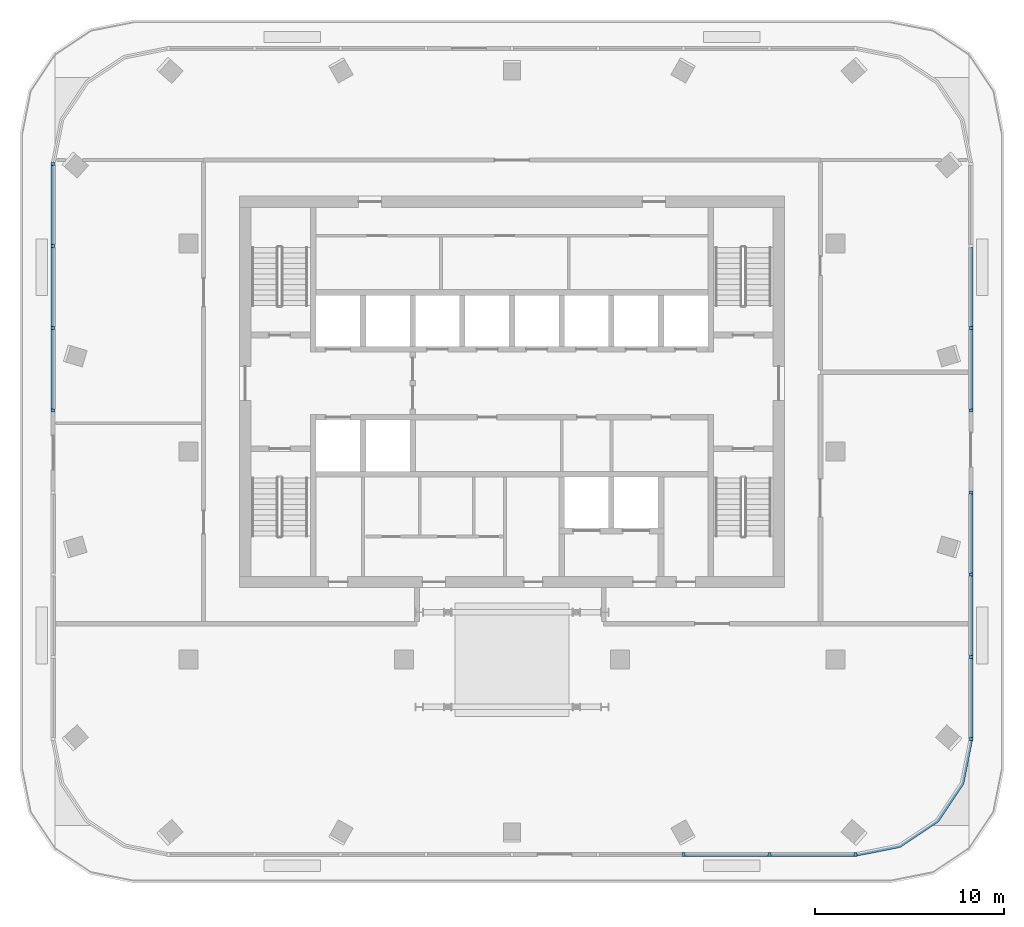
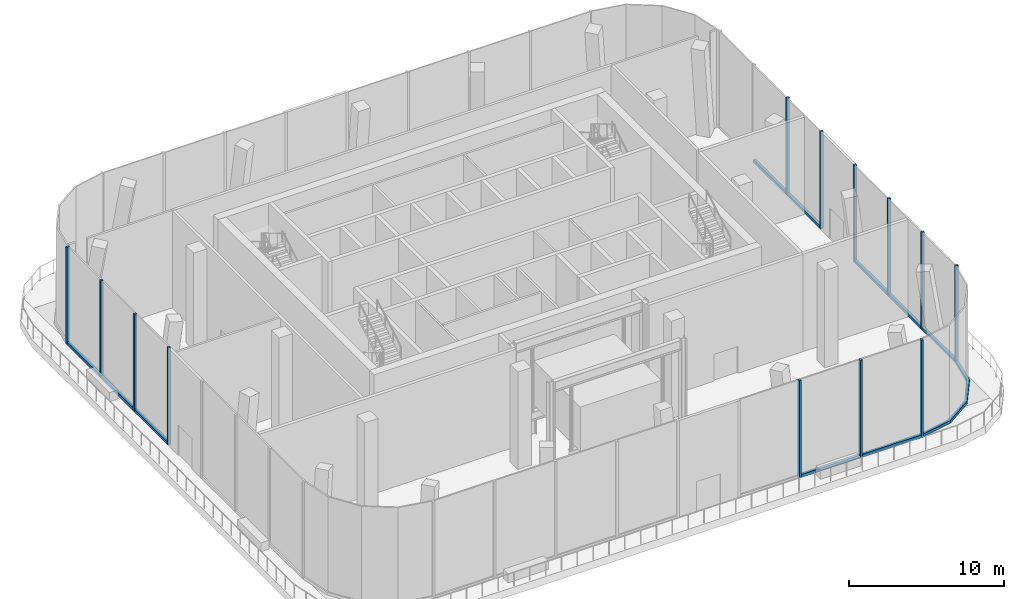
# One storey, part 3 of 13: 24 members, 5 elements without a shape of their own.
"""IFC4 building model written with IfcOpenShell, lengths in metres."""

from ifc_helpers import new_model, si_unit, direction, frame, origin, origin_2d, place, context, subcontext, project, spatial, polyline, rectangle, outline, extrude, material, material_profile, profile_set, type_object, element, aggregate, save


model = new_model("IFC4")

# Units and contexts
model_context = context("Model", 3, precision=1e-05, world=origin(), true_north=direction((0.0, 1.0)))
body_context = subcontext(model_context, "Body", "Model", "MODEL_VIEW")
ifc_project = project(units=[si_unit("LENGTHUNIT", "METRE"), si_unit("AREAUNIT", "SQUARE_METRE"), si_unit("VOLUMEUNIT", "CUBIC_METRE"), si_unit("PLANEANGLEUNIT", "RADIAN"), si_unit("MASSUNIT", "GRAM", prefix="KILO")], contexts=[model_context])

# Site, building, storey
site_placement = place(None, origin())
site = spatial("IfcSite", under=ifc_project, at=site_placement, CompositionType="ELEMENT")
building_placement = place(site_placement, origin())
building = spatial("IfcBuilding", under=site, at=building_placement, Name="Mopane Tessera Tower", CompositionType="ELEMENT")
storey_placement = place(building_placement, frame((0.0, 0.0, 337.39990234375)))
storey = spatial("IfcBuildingStorey", under=building, at=storey_placement, Name="L74", CompositionType="ELEMENT", Elevation=337.39990234375)

# Curtain wall, members
ifc_material_1 = material(Name="Aluminium frame", Category="aluminium")
curtain_wall_type = type_object("IfcCurtainWallType", Name="Damper floor unitised wall", PredefinedType="NOTDEFINED", material=ifc_material_1)
curtain_wall_1_placement = place(storey_placement, origin())
curtain_wall_1 = element("IfcCurtainWall", 1, at=curtain_wall_1_placement, inside=storey, type_object=curtain_wall_type, Name="e:cw:L74:S:5", PredefinedType="NOTDEFINED")
ifc_material_2 = material(Name="Aluminium frame", Category="aluminium")
ifc_material_profile_1 = material_profile(ifc_material_2, rectangle(XDim=0.159912109375, YDim=0.199951171875, at=origin_2d()))
ifc_profile_set_1 = profile_set([ifc_material_profile_1], Name="Aluminium frame")
member_type_1 = type_object("IfcMemberType", Name="Aluminium mullion 160 x 200", PredefinedType="MULLION", material=ifc_profile_set_1)
member_1_placement = place(storey_placement, frame((9.074951171875, -21.300048828125, 0.0), z_axis=(0.0, 0.0, 1.0), x_axis=(1.0, 0.0, 0.0)))
member_1 = element("IfcMember", 2, at=member_1_placement, type_object=member_type_1, Name="e:cw:L74:S:5:mu6", PredefinedType="MULLION", context=body_context, shape_type="SweptSolid", body=[
    extrude(rectangle(XDim=0.159912109375, YDim=0.199951171875, at=origin_2d()), origin(), (0.0, 0.0, 1.0), 7.650146484375),
])
member_2_placement = place(storey_placement, frame((13.612548828125, -21.300048828125, 0.0), z_axis=(0.0, 0.0, 1.0), x_axis=(1.0, 0.0, 0.0)))
member_2 = element("IfcMember", 3, at=member_2_placement, type_object=member_type_1, Name="e:cw:L74:S:5:mu7", PredefinedType="MULLION", context=body_context, shape_type="SweptSolid", body=[
    extrude(rectangle(XDim=0.159912109375, YDim=0.199951171875, at=origin_2d()), origin(), (0.0, 0.0, 1.0), 7.650146484375),
])
member_3_placement = place(storey_placement, frame((18.14990234375, -21.300048828125, 0.0), z_axis=(0.0, 0.0, 1.0), x_axis=(1.0, 0.0, 0.0)))
member_3 = element("IfcMember", 4, at=member_3_placement, type_object=member_type_1, Name="e:cw:L74:S:5:mu8", PredefinedType="MULLION", context=body_context, shape_type="SweptSolid", body=[
    extrude(rectangle(XDim=0.159912109375, YDim=0.199951171875, at=origin_2d()), origin(), (0.0, 0.0, 1.0), 7.650146484375),
])

curtain_wall_2_placement = place(storey_placement, origin())
curtain_wall_2 = element("IfcCurtainWall", 5, at=curtain_wall_2_placement, inside=storey, type_object=curtain_wall_type, Name="e:cw:L74:E:0", PredefinedType="NOTDEFINED")
member_4_placement = place(storey_placement, frame((24.25, -15.199951171875, 0.0), z_axis=(0.0, 0.0, 1.0), x_axis=(0.0, 1.0, 0.0)))
member_4 = element("IfcMember", 6, at=member_4_placement, type_object=member_type_1, Name="e:cw:L74:E:0:mu0", PredefinedType="MULLION", context=body_context, shape_type="SweptSolid", body=[
    extrude(rectangle(XDim=0.159912109375, YDim=0.199951171875, at=origin_2d()), origin(), (0.0, 0.0, 1.0), 7.650146484375),
])
member_5_placement = place(storey_placement, frame((24.25, -10.857177734375, 0.0), z_axis=(0.0, 0.0, 1.0), x_axis=(0.0, 1.0, 0.0)))
member_5 = element("IfcMember", 7, at=member_5_placement, type_object=member_type_1, Name="e:cw:L74:E:0:mu1", PredefinedType="MULLION", context=body_context, shape_type="SweptSolid", body=[
    extrude(rectangle(XDim=0.159912109375, YDim=0.199951171875, at=origin_2d()), origin(), (0.0, 0.0, 1.0), 7.650146484375),
])
member_6_placement = place(storey_placement, frame((24.25, -6.514404296875, 0.0), z_axis=(0.0, 0.0, 1.0), x_axis=(0.0, 1.0, 0.0)))
member_6 = element("IfcMember", 8, at=member_6_placement, type_object=member_type_1, Name="e:cw:L74:E:0:mu2", PredefinedType="MULLION", context=body_context, shape_type="SweptSolid", body=[
    extrude(rectangle(XDim=0.159912109375, YDim=0.199951171875, at=origin_2d()), origin(), (0.0, 0.0, 1.0), 7.650146484375),
])
member_7_placement = place(storey_placement, frame((24.25, -2.17138671875, 0.0), z_axis=(0.0, 0.0, 1.0), x_axis=(0.0, 1.0, 0.0)))
member_7 = element("IfcMember", 9, at=member_7_placement, type_object=member_type_1, Name="e:cw:L74:E:0:mu3", PredefinedType="MULLION", context=body_context, shape_type="SweptSolid", body=[
    extrude(rectangle(XDim=0.159912109375, YDim=0.199951171875, at=origin_2d()), origin(), (0.0, 0.0, 1.0), 7.650146484375),
])

curtain_wall_3_placement = place(storey_placement, origin())
curtain_wall_3 = element("IfcCurtainWall", 10, at=curtain_wall_3_placement, inside=storey, type_object=curtain_wall_type, Name="e:cw:L74:E:4", PredefinedType="NOTDEFINED")
member_8_placement = place(storey_placement, frame((24.25, 2.17138671875, 0.0), z_axis=(0.0, 0.0, 1.0), x_axis=(0.0, 1.0, 0.0)))
member_8 = element("IfcMember", 11, at=member_8_placement, type_object=member_type_1, Name="e:cw:L74:E:4:mu4", PredefinedType="MULLION", context=body_context, shape_type="SweptSolid", body=[
    extrude(rectangle(XDim=0.159912109375, YDim=0.199951171875, at=origin_2d()), origin(), (0.0, 0.0, 1.0), 7.650146484375),
])
member_9_placement = place(storey_placement, frame((24.25, 6.514404296875, 0.0), z_axis=(0.0, 0.0, 1.0), x_axis=(0.0, 1.0, 0.0)))
member_9 = element("IfcMember", 12, at=member_9_placement, type_object=member_type_1, Name="e:cw:L74:E:4:mu5", PredefinedType="MULLION", context=body_context, shape_type="SweptSolid", body=[
    extrude(rectangle(XDim=0.159912109375, YDim=0.199951171875, at=origin_2d()), origin(), (0.0, 0.0, 1.0), 7.650146484375),
])

curtain_wall_4_placement = place(storey_placement, origin())
curtain_wall_4 = element("IfcCurtainWall", 13, at=curtain_wall_4_placement, inside=storey, type_object=curtain_wall_type, Name="e:cw:L74:W:0", PredefinedType="NOTDEFINED")
member_10_placement = place(storey_placement, frame((-24.25, 15.199951171875, 0.0), z_axis=(0.0, 0.0, 1.0), x_axis=(0.0, -1.0, 0.0)))
member_10 = element("IfcMember", 14, at=member_10_placement, type_object=member_type_1, Name="e:cw:L74:W:0:mu0", PredefinedType="MULLION", context=body_context, shape_type="SweptSolid", body=[
    extrude(rectangle(XDim=0.159912109375, YDim=0.199951171875, at=origin_2d()), origin(), (0.0, 0.0, 1.0), 7.650146484375),
])
member_11_placement = place(storey_placement, frame((-24.25, 10.857177734375, 0.0), z_axis=(0.0, 0.0, 1.0), x_axis=(0.0, -1.0, 0.0)))
member_11 = element("IfcMember", 15, at=member_11_placement, type_object=member_type_1, Name="e:cw:L74:W:0:mu1", PredefinedType="MULLION", context=body_context, shape_type="SweptSolid", body=[
    extrude(rectangle(XDim=0.159912109375, YDim=0.199951171875, at=origin_2d()), origin(), (0.0, 0.0, 1.0), 7.650146484375),
])
member_12_placement = place(storey_placement, frame((-24.25, 6.514404296875, 0.0), z_axis=(0.0, 0.0, 1.0), x_axis=(0.0, -1.0, 0.0)))
member_12 = element("IfcMember", 16, at=member_12_placement, type_object=member_type_1, Name="e:cw:L74:W:0:mu2", PredefinedType="MULLION", context=body_context, shape_type="SweptSolid", body=[
    extrude(rectangle(XDim=0.159912109375, YDim=0.199951171875, at=origin_2d()), origin(), (0.0, 0.0, 1.0), 7.650146484375),
])
member_13_placement = place(storey_placement, frame((-24.25, 2.17138671875, 0.0), z_axis=(0.0, 0.0, 1.0), x_axis=(0.0, -1.0, 0.0)))
member_13 = element("IfcMember", 17, at=member_13_placement, type_object=member_type_1, Name="e:cw:L74:W:0:mu3", PredefinedType="MULLION", context=body_context, shape_type="SweptSolid", body=[
    extrude(rectangle(XDim=0.159912109375, YDim=0.199951171875, at=origin_2d()), origin(), (0.0, 0.0, 1.0), 7.650146484375),
])

# Member
ifc_material_3 = material(Name="Aluminium frame", Category="aluminium")
ifc_material_profile_2 = material_profile(ifc_material_3, rectangle(XDim=0.199951171875, YDim=0.219970703125, at=origin_2d()))
ifc_profile_set_2 = profile_set([ifc_material_profile_2], Name="Aluminium frame")
member_type_2 = type_object("IfcMemberType", Name="Aluminium transom 200 x 220", PredefinedType="USERDEFINED", material=ifc_profile_set_2)
member_14_placement = place(storey_placement, frame((9.155029296875, -21.300048828125, 0.110107421875), z_axis=(1.0, 0.0, 0.0), x_axis=(0.0, 1.0, 0.0)))
member_14 = element("IfcMember", 18, at=member_14_placement, type_object=member_type_2, Name="e:cw:L74:S:5:tr6", ObjectType="TRANSOM", PredefinedType="USERDEFINED", context=body_context, shape_type="SweptSolid", body=[
    extrude(rectangle(XDim=0.199951171875, YDim=0.219970703125, at=origin_2d()), origin(), (0.0, 0.0, 1.0), 4.37744140625),
])

member_15_placement = place(storey_placement, frame((13.6923828125, -21.300048828125, 0.110107421875), z_axis=(1.0, 0.0, 0.0), x_axis=(0.0, 1.0, 0.0)))
member_15 = element("IfcMember", 19, at=member_15_placement, type_object=member_type_2, Name="e:cw:L74:S:5:tr7", ObjectType="TRANSOM", PredefinedType="USERDEFINED", context=body_context, shape_type="SweptSolid", body=[
    extrude(rectangle(XDim=0.199951171875, YDim=0.219970703125, at=origin_2d()), origin(), (0.0, 0.0, 1.0), 4.377685546875),
])

aggregate(curtain_wall_1, [member_1, member_2, member_3, member_14, member_15])

# Curtain wall, member
curtain_wall_5_placement = place(storey_placement, origin())
curtain_wall_5 = element("IfcCurtainWall", 20, at=curtain_wall_5_placement, inside=storey, type_object=curtain_wall_type, Name="e:cw:L74:CS", PredefinedType="NOTDEFINED")
member_16_placement = place(storey_placement, origin())
member_16 = element("IfcMember", 21, at=member_16_placement, type_object=member_type_2, Name="e:cw:L74:CS:tr", ObjectType="TRANSOM", PredefinedType="USERDEFINED", context=body_context, shape_type="SweptSolid", body=[
    extrude(outline(polyline([(18.14990234375, -21.199951171875), (20.446044921875, -20.7431640625), (22.392578125, -19.442626953125), (23.693359375, -17.49609375), (24.14990234375, -15.199951171875), (24.35009765625, -15.199951171875), (23.878173828125, -17.57275390625), (22.5341796875, -19.583984375), (20.522705078125, -20.927978515625), (18.14990234375, -21.39990234375), (18.14990234375, -21.199951171875)])), origin(), (0.0, 0.0, 1.0), 0.22021484375),
])
aggregate(curtain_wall_5, [member_16])

# Member
member_17_placement = place(storey_placement, frame((24.25, -15.1201171875, 0.110107421875), z_axis=(0.0, 1.0, 0.0), x_axis=(-1.0, 0.0, 0.0)))
member_17 = element("IfcMember", 22, at=member_17_placement, type_object=member_type_2, Name="e:cw:L74:E:0:tr0", ObjectType="TRANSOM", PredefinedType="USERDEFINED", context=body_context, shape_type="SweptSolid", body=[
    extrude(rectangle(XDim=0.199951171875, YDim=0.219970703125, at=origin_2d()), origin(), (0.0, 0.0, 1.0), 4.182861328125),
])

member_18_placement = place(storey_placement, frame((24.25, -10.777099609375, 0.110107421875), z_axis=(0.0, 1.0, 0.0), x_axis=(-1.0, 0.0, 0.0)))
member_18 = element("IfcMember", 23, at=member_18_placement, type_object=member_type_2, Name="e:cw:L74:E:0:tr1", ObjectType="TRANSOM", PredefinedType="USERDEFINED", context=body_context, shape_type="SweptSolid", body=[
    extrude(rectangle(XDim=0.199951171875, YDim=0.219970703125, at=origin_2d()), origin(), (0.0, 0.0, 1.0), 4.182861328125),
])

member_19_placement = place(storey_placement, frame((24.25, -6.434326171875, 0.110107421875), z_axis=(0.0, 1.0, 0.0), x_axis=(-1.0, 0.0, 0.0)))
member_19 = element("IfcMember", 24, at=member_19_placement, type_object=member_type_2, Name="e:cw:L74:E:0:tr2", ObjectType="TRANSOM", PredefinedType="USERDEFINED", context=body_context, shape_type="SweptSolid", body=[
    extrude(rectangle(XDim=0.199951171875, YDim=0.219970703125, at=origin_2d()), origin(), (0.0, 0.0, 1.0), 4.182861328125),
])

aggregate(curtain_wall_2, [member_4, member_5, member_6, member_7, member_17, member_18, member_19])

member_20_placement = place(storey_placement, frame((24.25, 2.25146484375, 0.110107421875), z_axis=(0.0, 1.0, 0.0), x_axis=(-1.0, 0.0, 0.0)))
member_20 = element("IfcMember", 25, at=member_20_placement, type_object=member_type_2, Name="e:cw:L74:E:4:tr4", ObjectType="TRANSOM", PredefinedType="USERDEFINED", context=body_context, shape_type="SweptSolid", body=[
    extrude(rectangle(XDim=0.199951171875, YDim=0.219970703125, at=origin_2d()), origin(), (0.0, 0.0, 1.0), 4.182861328125),
])

member_21_placement = place(storey_placement, frame((24.25, 6.59423828125, 0.110107421875), z_axis=(0.0, 1.0, 0.0), x_axis=(-1.0, 0.0, 0.0)))
member_21 = element("IfcMember", 26, at=member_21_placement, type_object=member_type_2, Name="e:cw:L74:E:4:tr5", ObjectType="TRANSOM", PredefinedType="USERDEFINED", context=body_context, shape_type="SweptSolid", body=[
    extrude(rectangle(XDim=0.199951171875, YDim=0.219970703125, at=origin_2d()), origin(), (0.0, 0.0, 1.0), 4.182861328125),
])

aggregate(curtain_wall_3, [member_8, member_9, member_20, member_21])

member_22_placement = place(storey_placement, frame((-24.25, 15.1201171875, 0.110107421875), z_axis=(0.0, -1.0, 0.0), x_axis=(1.0, 0.0, 0.0)))
member_22 = element("IfcMember", 27, at=member_22_placement, type_object=member_type_2, Name="e:cw:L74:W:0:tr0", ObjectType="TRANSOM", PredefinedType="USERDEFINED", context=body_context, shape_type="SweptSolid", body=[
    extrude(rectangle(XDim=0.199951171875, YDim=0.219970703125, at=origin_2d()), origin(), (0.0, 0.0, 1.0), 4.182861328125),
])

member_23_placement = place(storey_placement, frame((-24.25, 10.777099609375, 0.110107421875), z_axis=(0.0, -1.0, 0.0), x_axis=(1.0, 0.0, 0.0)))
member_23 = element("IfcMember", 28, at=member_23_placement, type_object=member_type_2, Name="e:cw:L74:W:0:tr1", ObjectType="TRANSOM", PredefinedType="USERDEFINED", context=body_context, shape_type="SweptSolid", body=[
    extrude(rectangle(XDim=0.199951171875, YDim=0.219970703125, at=origin_2d()), origin(), (0.0, 0.0, 1.0), 4.182861328125),
])

member_24_placement = place(storey_placement, frame((-24.25, 6.434326171875, 0.110107421875), z_axis=(0.0, -1.0, 0.0), x_axis=(1.0, 0.0, 0.0)))
member_24 = element("IfcMember", 29, at=member_24_placement, type_object=member_type_2, Name="e:cw:L74:W:0:tr2", ObjectType="TRANSOM", PredefinedType="USERDEFINED", context=body_context, shape_type="SweptSolid", body=[
    extrude(rectangle(XDim=0.199951171875, YDim=0.219970703125, at=origin_2d()), origin(), (0.0, 0.0, 1.0), 4.182861328125),
])

aggregate(curtain_wall_4, [member_10, member_11, member_12, member_13, member_22, member_23, member_24])

save(model, "model.ifc")
